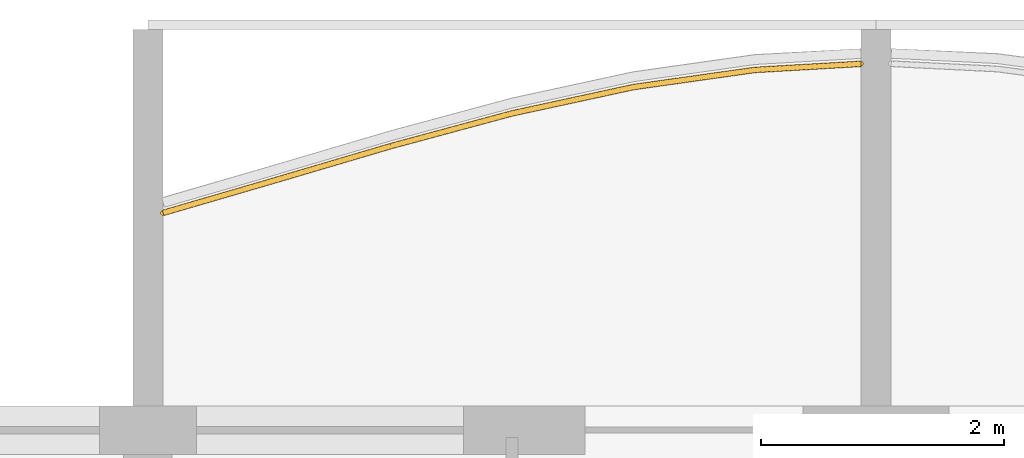
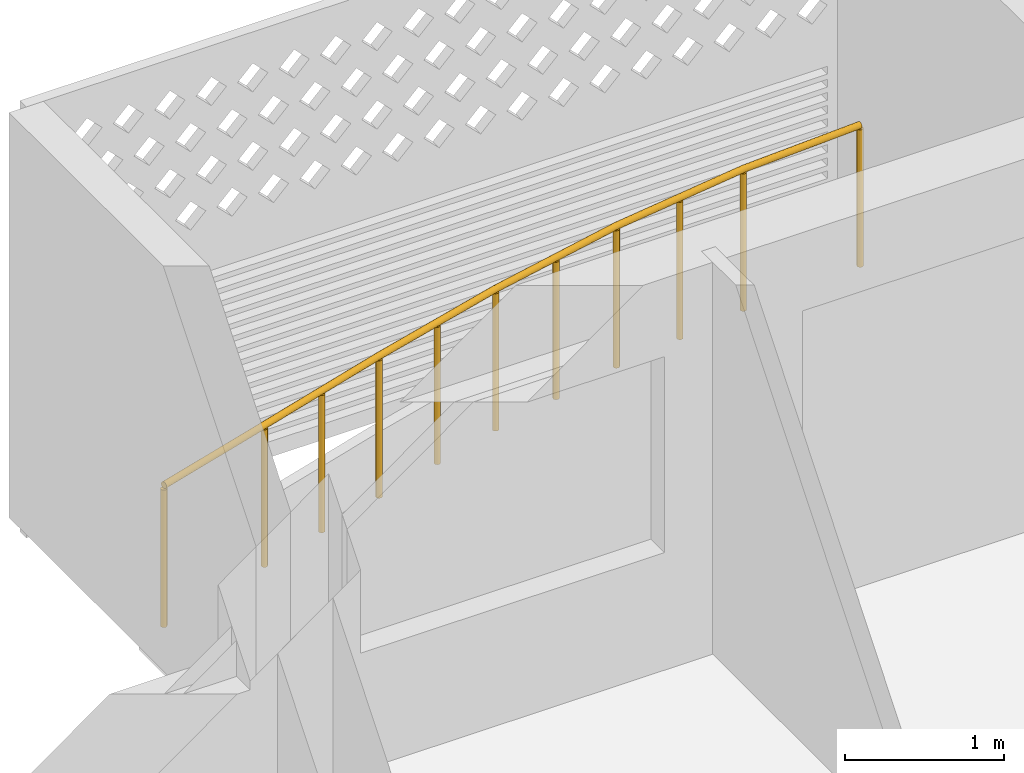
# One storey, part 31 of 38: 1 railing.
"""IFC4 building model written with IfcOpenShell, lengths in metres."""

from ifc_helpers import new_model, si_unit, direction, frame, origin, origin_2d, place, context, subcontext, project, spatial, circle, extrude, material, type_object, element, save


model = new_model("IFC4")

# Units and contexts
model_context = context("Model", 3, precision=1e-05, world=origin(), true_north=direction((0.0, 1.0)))
body_context = subcontext(model_context, "Body", "Model", "MODEL_VIEW")
ifc_project = project(units=[si_unit("LENGTHUNIT", "METRE"), si_unit("AREAUNIT", "SQUARE_METRE"), si_unit("VOLUMEUNIT", "CUBIC_METRE"), si_unit("PLANEANGLEUNIT", "RADIAN"), si_unit("MASSUNIT", "GRAM", prefix="KILO")], contexts=[model_context])

# Site, building, storey
site_placement = place(None, origin())
site = spatial("IfcSite", under=ifc_project, at=site_placement, CompositionType="ELEMENT")
building_placement = place(site_placement, origin())
building = spatial("IfcBuilding", under=site, at=building_placement, Name="Poui Terraces", CompositionType="ELEMENT")
storey_placement = place(building_placement, frame((0.0, 0.0, 49.800048828125)))
storey = spatial("IfcBuildingStorey", under=building, at=storey_placement, Name="L13", CompositionType="ELEMENT", Elevation=49.800048828125)

# Railing
ifc_material = material(Name="Painted steel fretwork", Category="steel")
railing_type = type_object("IfcRailingType", Name="BALCONY GUARD 1100", PredefinedType="GUARDRAIL", material=ifc_material)
railing_placement = place(storey_placement, frame((66.125, 46.59033203125, 0.0)))
element("IfcRailing", 1, at=railing_placement, inside=storey, type_object=railing_type, Name="BALCONY GUARD", PredefinedType="GUARDRAIL", context=body_context, shape_type="SweptSolid", body=[
    extrude(circle(Radius=0.02392578125, at=origin_2d()), frame((0.0, 0.0, 1.076171875), z_axis=(0.96009595316, 0.279670807784, 0.0), x_axis=(-0.279670807784, 0.96009595316, 0.0)), (0.0, 0.0, 1.0), 0.911376953125),
    extrude(circle(Radius=0.02392578125, at=origin_2d()), frame((0.875, 0.2548828125, 1.076171875), z_axis=(0.959092870386, 0.283091621166, 0.0), x_axis=(-0.283091621166, 0.959092870386, 0.0)), (0.0, 0.0, 1.0), 1.042724609375),
    extrude(circle(Radius=0.02392578125, at=origin_2d()), frame((1.875, 0.550048828125, 1.076171875), z_axis=(0.965483634336, 0.260463724595, 0.0), x_axis=(-0.260463724595, 0.965483634336, 0.0)), (0.0, 0.0, 1.0), 1.03564453125),
    extrude(circle(Radius=0.02392578125, at=origin_2d()), frame((2.875, 0.81982421875, 1.076171875), z_axis=(0.977296797445, 0.211874891633, 0.0), x_axis=(-0.211874891633, 0.977296797445, 0.0)), (0.0, 0.0, 1.0), 1.023193359375),
    extrude(circle(Radius=0.02392578125, at=origin_2d()), frame((3.875, 1.03662109375, 1.076171875), z_axis=(0.99015631817, 0.13996594439, 0.0), x_axis=(-0.13996594439, 0.99015631817, 0.0)), (0.0, 0.0, 1.0), 1.010009765625),
    extrude(circle(Radius=0.02392578125, at=origin_2d()), frame((4.875, 1.177978515625, 1.076171875), z_axis=(0.998352239869, 0.057382969144, 0.0), x_axis=(-0.057382969144, 0.998352239869, 0.0)), (0.0, 0.0, 1.0), 0.87646484375),
    extrude(circle(Radius=0.02099609375, at=origin_2d()), origin(), (0.0, 0.0, 1.0), 1.052001953125),
    extrude(circle(Radius=0.02099609375, at=origin_2d()), frame((0.875, 0.2548828125, 0.0)), (0.0, 0.0, 1.0), 1.052001953125),
    extrude(circle(Radius=0.02099609375, at=origin_2d()), frame((1.375, 0.40234375, 0.0)), (0.0, 0.0, 1.0), 1.052001953125),
    extrude(circle(Radius=0.02099609375, at=origin_2d()), frame((1.875, 0.550048828125, 0.0)), (0.0, 0.0, 1.0), 1.052001953125),
    extrude(circle(Radius=0.02099609375, at=origin_2d()), frame((2.375, 0.68505859375, 0.0)), (0.0, 0.0, 1.0), 1.052001953125),
    extrude(circle(Radius=0.02099609375, at=origin_2d()), frame((2.875, 0.81982421875, 0.0)), (0.0, 0.0, 1.0), 1.052001953125),
    extrude(circle(Radius=0.02099609375, at=origin_2d()), frame((3.375, 0.92822265625, 0.0)), (0.0, 0.0, 1.0), 1.052001953125),
    extrude(circle(Radius=0.02099609375, at=origin_2d()), frame((3.875, 1.03662109375, 0.0)), (0.0, 0.0, 1.0), 1.052001953125),
    extrude(circle(Radius=0.02099609375, at=origin_2d()), frame((4.375, 1.107421875, 0.0)), (0.0, 0.0, 1.0), 1.052001953125),
    extrude(circle(Radius=0.02099609375, at=origin_2d()), frame((4.875, 1.177978515625, 0.0)), (0.0, 0.0, 1.0), 1.052001953125),
    extrude(circle(Radius=0.02099609375, at=origin_2d()), frame((5.75, 1.228271484375, 0.0)), (0.0, 0.0, 1.0), 1.052001953125),
])

save(model, "model.ifc")
